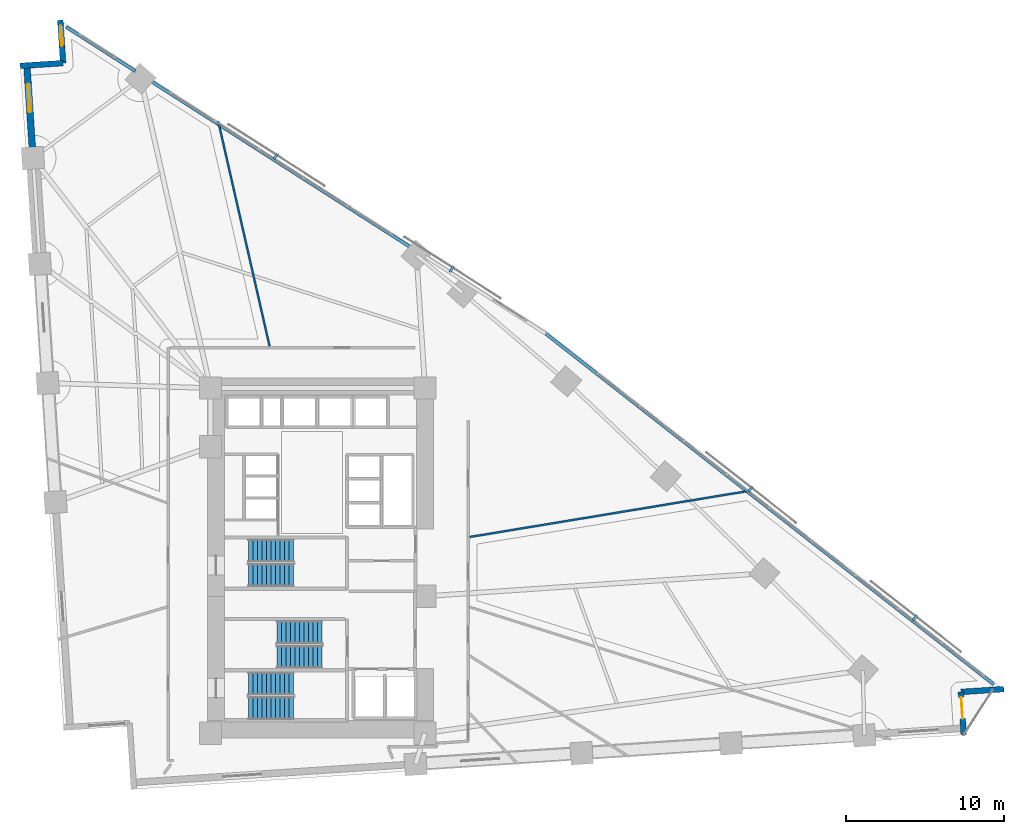
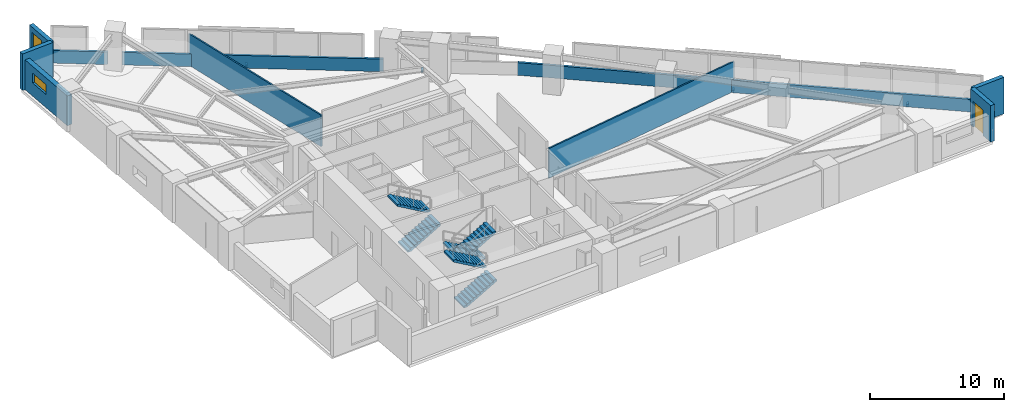
# One storey, part 13 of 15: 10 walls, 6 stair flights, 4 discrete accessories, 2 windows, 1 door, 3 openings, 3 elements without a shape of their own.
"""IFC4 building model written with IfcOpenShell, lengths in metres."""

from ifc_helpers import new_model, si_unit, direction, frame, frame_2d, origin, origin_2d, place, context, subcontext, project, spatial, polyline, rectangle, outline, extrude, material, layer, layer_set, type_object, element, fill, aggregate, save


model = new_model("IFC4")

# Units and contexts
model_context = context("Model", 3, precision=1e-05, world=origin(), true_north=direction((0.0, 1.0)))
body_context = subcontext(model_context, "Body", "Model", "MODEL_VIEW")
ifc_project = project(units=[si_unit("LENGTHUNIT", "METRE"), si_unit("AREAUNIT", "SQUARE_METRE"), si_unit("VOLUMEUNIT", "CUBIC_METRE"), si_unit("PLANEANGLEUNIT", "RADIAN"), si_unit("MASSUNIT", "GRAM", prefix="KILO")], contexts=[model_context])

# Site, building, storey
site_placement = place(None, origin())
site = spatial("IfcSite", under=ifc_project, at=site_placement, CompositionType="ELEMENT")
building_placement = place(site_placement, origin())
building = spatial("IfcBuilding", under=site, at=building_placement, Name="Narakoshi Arena Tower", CompositionType="ELEMENT")
storey_placement = place(building_placement, frame((0.0, 0.0, 70.5)))
storey = spatial("IfcBuildingStorey", under=building, at=storey_placement, Name="L18", CompositionType="ELEMENT", Elevation=70.5)

# Walls
ifc_material_1 = material(Name="Precast concrete C45/55", Category="concrete")
ifc_layer_1 = layer(ifc_material_1, 0.25)
ifc_layer_set_1 = layer_set([ifc_layer_1], Name="Precast concrete C45/55")
wall_type_1 = type_object("IfcWallType", Name="WL-PARA-250", PredefinedType="PARAPET", material=ifc_layer_set_1)
wall_1_placement = place(storey_placement, frame((121.47607421875, 37.781494140625, 0.0), z_axis=(0.0, 0.0, 1.0), x_axis=(-0.787385636484, 0.61646075257, 0.0)))
element("IfcWall", 1, at=wall_1_placement, inside=storey, type_object=wall_type_1, Name="L18 Hypotenuse Sill Upstand Parapet 1-01", PredefinedType="PARAPET", context=body_context, shape_type="SweptSolid", body=[
    extrude(rectangle(XDim=35.957275390625, YDim=0.199951171875, at=frame_2d((17.978515625, 0.0))), origin(), (0.0, 0.0, 1.0), 1.14990234375),
])
wall_2_placement = place(storey_placement, frame((84.681640625, 65.372314453125, 0.0), z_axis=(0.0, 0.0, 1.0), x_axis=(-0.842418773655, 0.538823356763, 0.0)))
element("IfcWall", 2, at=wall_2_placement, inside=storey, type_object=wall_type_1, Name="L18 Hypotenuse Sill Upstand Parapet 2-02", PredefinedType="PARAPET", context=body_context, shape_type="SweptSolid", body=[
    extrude(rectangle(XDim=19.612060546875, YDim=0.199951171875, at=frame_2d((9.80615234375, 0.0))), origin(), (0.0, 0.0, 1.0), 1.14990234375),
])
wall_3_placement = place(storey_placement, frame((67.2568359375, 76.517578125, 0.0), z_axis=(0.0, 0.0, 1.0), x_axis=(-0.842403631411, 0.538847030042, 0.0)))
element("IfcWall", 3, at=wall_3_placement, inside=storey, type_object=wall_type_1, Name="L18 Hypotenuse Sill Upstand Parapet 2-03", PredefinedType="PARAPET", context=body_context, shape_type="SweptSolid", body=[
    extrude(rectangle(XDim=5.1962890625, YDim=0.199951171875, at=frame_2d((2.59814453125, 0.0))), origin(), (0.0, 0.0, 1.0), 1.14990234375),
])
ifc_material_2 = material(Name="Gypsum plasterboard fire-rated partition")
ifc_layer_2 = layer(ifc_material_2, 0.125)
ifc_layer_set_2 = layer_set([ifc_layer_2], Name="Gypsum plasterboard fire-rated partition")
wall_type_2 = type_object("IfcWallType", Name="WL-PART-125", PredefinedType="PARTITIONING", material=ifc_layer_set_2)
wall_4_placement = place(storey_placement, frame((88.382080078125, 47.095947265625, 0.0), z_axis=(0.0, 0.0, 1.0), x_axis=(0.986654246773, 0.162829350317, 0.0)))
element("IfcWall", 4, at=wall_4_placement, inside=storey, type_object=wall_type_2, Name="L18 Inter-Room Partition 04-06", PredefinedType="PARTITIONING", context=body_context, shape_type="SweptSolid", body=[
    extrude(rectangle(XDim=17.9609375, YDim=0.125, at=frame_2d((8.98046875, 0.0))), origin(), (0.0, 0.0, 1.0), 2.72509765625),
])
wall_5_placement = place(storey_placement, frame((75.73095703125, 59.154541015625, 0.0), z_axis=(0.0, 0.0, 1.0), x_axis=(-0.222590532926, 0.974912024057, 0.0)))
element("IfcWall", 5, at=wall_5_placement, inside=storey, type_object=wall_type_2, Name="L18 Inter-Room Partition 07-08", PredefinedType="PARTITIONING", context=body_context, shape_type="SweptSolid", body=[
    extrude(rectangle(XDim=14.573486328125, YDim=0.125, at=frame_2d((7.28662109375, 0.0))), origin(), (0.0, 0.0, 1.0), 2.875),
])

# Wall, opening, window
ifc_layer_3 = layer(ifc_material_1, 0.419921875)
ifc_layer_set_3 = layer_set([ifc_layer_3], Name="Precast concrete C45/55")
wall_type_3 = type_object("IfcWallType", Name="WL-POD-420", PredefinedType="SOLIDWALL", material=ifc_layer_set_3)
wall_6_placement = place(storey_placement, frame((60.40185546875, 76.8828125, 0.0), z_axis=(0.0, 0.0, 1.0), x_axis=(0.065402662459, -0.997858953832, 0.0)))
wall_6 = element("IfcWall", 6, at=wall_6_placement, inside=storey, type_object=wall_type_3, Name="L18 Architectural Concrete Facade Wall LEGB-1", PredefinedType="SOLIDWALL", context=body_context, shape_type="SweptSolid", body=[
    extrude(rectangle(XDim=5.8642578125, YDim=0.419921875, at=frame_2d((2.93212890625, 0.0))), origin(), (0.0, 0.0, 1.0), 2.72509765625),
])
opening_1_placement = place(wall_6_placement, frame((1.1708984375, 0.0, 1.199951171875)))
opening_1 = element("IfcOpeningElement", 7, at=opening_1_placement, cuts=wall_6, Name="Opening WN-02", PredefinedType="OPENING", context=body_context, shape_type="SweptSolid", body=[
    extrude(rectangle(XDim=1.800048828125, YDim=0.89990234375, at=frame_2d((0.89990234375, 0.449951171875))), frame((0.0, 0.219970703125, 0.0), z_axis=(0.0, -1.0, 0.0), x_axis=(1.0, 0.0, 0.0)), (0.0, 0.0, 1.0), 0.43994140625),
])
ifc_material_3 = material(Name="Bronze-tinted low-E laminated glass", Category="glass")
window_type_1 = type_object("IfcWindowType", Name="WIN-SLT-18x09", PartitioningType="SINGLE_PANEL", PredefinedType="WINDOW", material=ifc_material_3)
window_1_placement = place(opening_1_placement, origin())
window_1 = element("IfcWindow", 8, at=window_1_placement, inside=storey, type_object=window_type_1, Name="L18 LEGB1 Horizontal Slot Window 1", OverallHeight=0.89990234375, OverallWidth=1.800048828125, PartitioningType="SINGLE_PANEL", PredefinedType="WINDOW", context=body_context, shape_type="SweptSolid", body=[
    extrude(rectangle(XDim=1.800048828125, YDim=0.89990234375, at=frame_2d((0.89990234375, 0.449951171875))), frame((0.0, 0.030029296875, 0.0), z_axis=(0.0, -1.0, 0.0), x_axis=(1.0, 0.0, 0.0)), (0.0, 0.0, 1.0), 0.06005859375),
])
fill(opening_1, window_1)

# Wall, opening, door
wall_7_placement = place(storey_placement, frame((119.58447265625, 34.594482421875, 0.0), z_axis=(0.0, 0.0, 1.0), x_axis=(-0.065427374496, 0.997857333824, 0.0)))
wall_7 = element("IfcWall", 9, at=wall_7_placement, inside=storey, type_object=wall_type_3, Name="L18 Re-Entrant Corner Notch Wall NTE-1", PredefinedType="SOLIDWALL", context=body_context, shape_type="SweptSolid", body=[
    extrude(rectangle(XDim=2.716552734375, YDim=0.360107421875, at=frame_2d((1.3583984375, 0.0))), origin(), (0.0, 0.0, 1.0), 3.340087890625),
])
opening_2_placement = place(wall_7_placement, frame((1.0263671875, 0.0, 0.0)))
opening_2 = element("IfcOpeningElement", 10, at=opening_2_placement, cuts=wall_7, Name="Opening D-12", PredefinedType="OPENING", context=body_context, shape_type="SweptSolid", body=[
    extrude(rectangle(XDim=1.35009765625, YDim=2.35009765625, at=frame_2d((0.675048828125, 1.175048828125))), frame((0.0, 0.18994140625, 0.0), z_axis=(0.0, -1.0, 0.0), x_axis=(1.0, 0.0, 0.0)), (0.0, 0.0, 1.0), 0.380126953125),
])
ifc_material_4 = material(Name="Anodised bronze aluminium 6063-T6", Category="aluminium")
door_type = type_object("IfcDoorType", Name="DR-LOG-1350", OperationType="DOUBLE_DOOR_SLIDING", PredefinedType="DOOR", material=ifc_material_4)
door_placement = place(opening_2_placement, origin())
door = element("IfcDoor", 11, at=door_placement, inside=storey, type_object=door_type, Name="DR-L18-001", OperationType="DOUBLE_DOOR_SLIDING", OverallHeight=2.35009765625, OverallWidth=1.35009765625, PredefinedType="DOOR", context=body_context, shape_type="SweptSolid", body=[
    extrude(rectangle(XDim=1.35009765625, YDim=2.35009765625, at=frame_2d((0.675048828125, 1.175048828125))), frame((0.0, 0.02490234375, 0.0), z_axis=(0.0, -1.0, 0.0), x_axis=(1.0, 0.0, 0.0)), (0.0, 0.0, 1.0), 0.050048828125),
])
fill(opening_2, door)

# Wall
wall_8_placement = place(storey_placement, frame((119.40673828125, 37.30517578125, 0.0), z_axis=(0.0, 0.0, 1.0), x_axis=(0.99785694905, 0.065433242561, 0.0)))
element("IfcWall", 12, at=wall_8_placement, inside=storey, type_object=wall_type_3, Name="L18 Re-Entrant Corner Notch Wall NTE-2", PredefinedType="SOLIDWALL", context=body_context, shape_type="SweptSolid", body=[
    extrude(rectangle(XDim=2.71630859375, YDim=0.360107421875, at=frame_2d((1.358154296875, 0.0))), origin(), (0.0, 0.0, 1.0), 3.340087890625),
])

# Wall, opening, window
wall_9_placement = place(storey_placement, frame((62.5107421875, 79.743408203125, 0.0), z_axis=(0.0, 0.0, 1.0), x_axis=(0.065337885661, -0.997863197386, 0.0)))
wall_9 = element("IfcWall", 13, at=wall_9_placement, inside=storey, type_object=wall_type_3, Name="L18 Re-Entrant Corner Notch Wall NTN-1", PredefinedType="SOLIDWALL", context=body_context, shape_type="SweptSolid", body=[
    extrude(rectangle(XDim=2.716552734375, YDim=0.360107421875, at=frame_2d((1.3583984375, 0.0))), origin(), (0.0, 0.0, 1.0), 3.340087890625),
])
opening_3_placement = place(wall_9_placement, frame((0.340087890625, 0.0, 0.449951171875)))
opening_3 = element("IfcOpeningElement", 14, at=opening_3_placement, cuts=wall_9, Name="Opening WN-06", PredefinedType="OPENING", context=body_context, shape_type="SweptSolid", body=[
    extrude(rectangle(XDim=1.300048828125, YDim=2.39990234375, at=frame_2d((0.64990234375, 1.199951171875))), frame((0.0, 0.18994140625, 0.0), z_axis=(0.0, -1.0, 0.0), x_axis=(1.0, 0.0, 0.0)), (0.0, 0.0, 1.0), 0.380126953125),
])
window_type_2 = type_object("IfcWindowType", Name="WIN-NTC-16x24", PartitioningType="SINGLE_PANEL", PredefinedType="WINDOW", material=ifc_material_3)
window_2_placement = place(opening_3_placement, origin())
window_2 = element("IfcWindow", 15, at=window_2_placement, inside=storey, type_object=window_type_2, Name="L18 Corner Notch Window NTN", OverallHeight=2.39990234375, OverallWidth=1.300048828125, PartitioningType="SINGLE_PANEL", PredefinedType="WINDOW", context=body_context, shape_type="SweptSolid", body=[
    extrude(rectangle(XDim=1.300048828125, YDim=2.39990234375, at=frame_2d((0.64990234375, 1.199951171875))), frame((0.0, 0.030029296875, 0.0), z_axis=(0.0, -1.0, 0.0), x_axis=(1.0, 0.0, 0.0)), (0.0, 0.0, 1.0), 0.06005859375),
])
fill(opening_3, window_2)

# Wall
wall_10_placement = place(storey_placement, frame((62.688232421875, 77.03271484375, 0.0), z_axis=(0.0, 0.0, 1.0), x_axis=(-0.99785694905, -0.065433242561, 0.0)))
element("IfcWall", 16, at=wall_10_placement, inside=storey, type_object=wall_type_3, Name="L18 Re-Entrant Corner Notch Wall NTN-2", PredefinedType="SOLIDWALL", context=body_context, shape_type="SweptSolid", body=[
    extrude(rectangle(XDim=2.71630859375, YDim=0.360107421875, at=frame_2d((1.358154296875, 0.0))), origin(), (0.0, 0.0, 1.0), 3.340087890625),
])

# Stair, stair flights
ifc_material_5 = material(Name="Concrete C45/55", Category="concrete")
stair_type = type_object("IfcStairType", Name="STR-CORE-360", PredefinedType="TWO_STRAIGHT_RUN_STAIR", material=ifc_material_5)
stair_1_placement = place(storey_placement, origin())
stair_1 = element("IfcStair", 17, at=stair_1_placement, inside=storey, type_object=stair_type, Name="L18 Core Escape Stair ST1", PredefinedType="TWO_STRAIGHT_RUN_STAIR")
stair_flight_type = type_object("IfcStairFlightType", Name="FLT-145-160", PredefinedType="STRAIGHT", material=ifc_material_1)
stair_flight_1_placement = place(storey_placement, frame((74.39990234375, 36.27490234375, 0.0), z_axis=(0.0, 0.0, 1.0), x_axis=(1.0, 0.0, 0.0)))
stair_flight_1 = element("IfcStairFlight", 18, at=stair_flight_1_placement, type_object=stair_flight_type, Name="ST1 flight 1", NumberOfRisers=11, NumberOfTreads=10, PredefinedType="STRAIGHT", RiserHeight=0.163636364, TreadLength=0.285, context=body_context, shape_type="SweptSolid", body=[
    extrude(outline(polyline([(0.0, 0.0), (0.0, 0.16357421875), (0.284912109375, 0.16357421875), (0.284912109375, 0.327392578125), (0.570068359375, 0.327392578125), (0.570068359375, 0.490966796875), (0.85498046875, 0.490966796875), (0.85498046875, 0.654541015625), (1.139892578125, 0.654541015625), (1.139892578125, 0.818115234375), (1.425048828125, 0.818115234375), (1.425048828125, 0.98193359375), (1.7099609375, 0.98193359375), (1.7099609375, 1.1455078125), (1.9951171875, 1.1455078125), (1.9951171875, 1.30908203125), (2.280029296875, 1.30908203125), (2.280029296875, 1.47265625), (2.56494140625, 1.47265625), (2.56494140625, 1.636474609375), (2.85009765625, 1.636474609375), (2.85009765625, 1.800048828125), (2.85009765625, 1.463623046875), (0.301025390625, 0.0), (0.0, 0.0)])), frame((0.0, 0.72509765625, 0.0), z_axis=(0.0, -1.0, 0.0), x_axis=(1.0, 0.0, 0.0)), (0.0, 0.0, 1.0), 1.449951171875),
])
stair_flight_2_placement = place(storey_placement, frame((77.25, 37.824951171875, 1.800048828125), z_axis=(0.0, 0.0, 1.0), x_axis=(-1.0, 0.0, 0.0)))
stair_flight_2 = element("IfcStairFlight", 19, at=stair_flight_2_placement, type_object=stair_flight_type, Name="ST1 flight 2", NumberOfRisers=11, NumberOfTreads=10, PredefinedType="STRAIGHT", RiserHeight=0.163636364, TreadLength=0.285, context=body_context, shape_type="SweptSolid", body=[
    extrude(outline(polyline([(0.0, 0.0), (0.0, 0.16357421875), (0.284912109375, 0.16357421875), (0.284912109375, 0.327392578125), (0.570068359375, 0.327392578125), (0.570068359375, 0.490966796875), (0.85498046875, 0.490966796875), (0.85498046875, 0.654541015625), (1.139892578125, 0.654541015625), (1.139892578125, 0.818115234375), (1.425048828125, 0.818115234375), (1.425048828125, 0.98193359375), (1.7099609375, 0.98193359375), (1.7099609375, 1.1455078125), (1.9951171875, 1.1455078125), (1.9951171875, 1.30908203125), (2.280029296875, 1.30908203125), (2.280029296875, 1.47265625), (2.56494140625, 1.47265625), (2.56494140625, 1.636474609375), (2.85009765625, 1.636474609375), (2.85009765625, 1.800048828125), (2.85009765625, 1.463623046875), (0.301025390625, 0.0), (0.0, 0.0)])), frame((0.0, 0.72509765625, 0.0), z_axis=(0.0, -1.0, 0.0), x_axis=(1.0, 0.0, 0.0)), (0.0, 0.0, 1.0), 1.449951171875),
])
aggregate(stair_1, [stair_flight_1, stair_flight_2])

stair_2_placement = place(storey_placement, origin())
stair_2 = element("IfcStair", 20, at=stair_2_placement, inside=storey, type_object=stair_type, Name="L18 Core Escape Stair ST2", PredefinedType="TWO_STRAIGHT_RUN_STAIR")
stair_flight_3_placement = place(storey_placement, frame((79.050048828125, 41.074951171875, 0.0), z_axis=(0.0, 0.0, 1.0), x_axis=(-1.0, 0.0, 0.0)))
stair_flight_3 = element("IfcStairFlight", 21, at=stair_flight_3_placement, type_object=stair_flight_type, Name="ST2 flight 1", NumberOfRisers=11, NumberOfTreads=10, PredefinedType="STRAIGHT", RiserHeight=0.163636364, TreadLength=0.285, context=body_context, shape_type="SweptSolid", body=[
    extrude(outline(polyline([(0.0, 0.0), (0.0, 0.16357421875), (0.284912109375, 0.16357421875), (0.284912109375, 0.327392578125), (0.570068359375, 0.327392578125), (0.570068359375, 0.490966796875), (0.85498046875, 0.490966796875), (0.85498046875, 0.654541015625), (1.139892578125, 0.654541015625), (1.139892578125, 0.818115234375), (1.425048828125, 0.818115234375), (1.425048828125, 0.98193359375), (1.7099609375, 0.98193359375), (1.7099609375, 1.1455078125), (1.9951171875, 1.1455078125), (1.9951171875, 1.30908203125), (2.280029296875, 1.30908203125), (2.280029296875, 1.47265625), (2.56494140625, 1.47265625), (2.56494140625, 1.636474609375), (2.85009765625, 1.636474609375), (2.85009765625, 1.800048828125), (2.85009765625, 1.463623046875), (0.301025390625, 0.0), (0.0, 0.0)])), frame((0.0, 0.72509765625, 0.0), z_axis=(0.0, -1.0, 0.0), x_axis=(1.0, 0.0, 0.0)), (0.0, 0.0, 1.0), 1.449951171875),
])
stair_flight_4_placement = place(storey_placement, frame((76.199951171875, 39.52490234375, 1.800048828125), z_axis=(0.0, 0.0, 1.0), x_axis=(1.0, 0.0, 0.0)))
stair_flight_4 = element("IfcStairFlight", 22, at=stair_flight_4_placement, type_object=stair_flight_type, Name="ST2 flight 2", NumberOfRisers=11, NumberOfTreads=10, PredefinedType="STRAIGHT", RiserHeight=0.163636364, TreadLength=0.285, context=body_context, shape_type="SweptSolid", body=[
    extrude(outline(polyline([(0.0, 0.0), (0.0, 0.16357421875), (0.284912109375, 0.16357421875), (0.284912109375, 0.327392578125), (0.570068359375, 0.327392578125), (0.570068359375, 0.490966796875), (0.85498046875, 0.490966796875), (0.85498046875, 0.654541015625), (1.139892578125, 0.654541015625), (1.139892578125, 0.818115234375), (1.425048828125, 0.818115234375), (1.425048828125, 0.98193359375), (1.7099609375, 0.98193359375), (1.7099609375, 1.1455078125), (1.9951171875, 1.1455078125), (1.9951171875, 1.30908203125), (2.280029296875, 1.30908203125), (2.280029296875, 1.47265625), (2.56494140625, 1.47265625), (2.56494140625, 1.636474609375), (2.85009765625, 1.636474609375), (2.85009765625, 1.800048828125), (2.85009765625, 1.463623046875), (0.301025390625, 0.0), (0.0, 0.0)])), frame((0.0, 0.72509765625, 0.0), z_axis=(0.0, -1.0, 0.0), x_axis=(1.0, 0.0, 0.0)), (0.0, 0.0, 1.0), 1.449951171875),
])
aggregate(stair_2, [stair_flight_3, stair_flight_4])

stair_3_placement = place(storey_placement, origin())
stair_3 = element("IfcStair", 23, at=stair_3_placement, inside=storey, type_object=stair_type, Name="L18 Core Escape Stair ST3", PredefinedType="TWO_STRAIGHT_RUN_STAIR")
stair_flight_5_placement = place(storey_placement, frame((74.39990234375, 44.675048828125, 0.0), z_axis=(0.0, 0.0, 1.0), x_axis=(1.0, 0.0, 0.0)))
stair_flight_5 = element("IfcStairFlight", 24, at=stair_flight_5_placement, type_object=stair_flight_type, Name="ST3 flight 1", NumberOfRisers=11, NumberOfTreads=10, PredefinedType="STRAIGHT", RiserHeight=0.163636364, TreadLength=0.285, context=body_context, shape_type="SweptSolid", body=[
    extrude(outline(polyline([(0.0, 0.0), (0.0, 0.16357421875), (0.284912109375, 0.16357421875), (0.284912109375, 0.327392578125), (0.570068359375, 0.327392578125), (0.570068359375, 0.490966796875), (0.85498046875, 0.490966796875), (0.85498046875, 0.654541015625), (1.139892578125, 0.654541015625), (1.139892578125, 0.818115234375), (1.425048828125, 0.818115234375), (1.425048828125, 0.98193359375), (1.7099609375, 0.98193359375), (1.7099609375, 1.1455078125), (1.9951171875, 1.1455078125), (1.9951171875, 1.30908203125), (2.280029296875, 1.30908203125), (2.280029296875, 1.47265625), (2.56494140625, 1.47265625), (2.56494140625, 1.636474609375), (2.85009765625, 1.636474609375), (2.85009765625, 1.800048828125), (2.85009765625, 1.463623046875), (0.301025390625, 0.0), (0.0, 0.0)])), frame((0.0, 0.72509765625, 0.0), z_axis=(0.0, -1.0, 0.0), x_axis=(1.0, 0.0, 0.0)), (0.0, 0.0, 1.0), 1.449951171875),
])
stair_flight_6_placement = place(storey_placement, frame((77.25, 46.22509765625, 1.800048828125), z_axis=(0.0, 0.0, 1.0), x_axis=(-1.0, 0.0, 0.0)))
stair_flight_6 = element("IfcStairFlight", 25, at=stair_flight_6_placement, type_object=stair_flight_type, Name="ST3 flight 2", NumberOfRisers=11, NumberOfTreads=10, PredefinedType="STRAIGHT", RiserHeight=0.163636364, TreadLength=0.285, context=body_context, shape_type="SweptSolid", body=[
    extrude(outline(polyline([(0.0, 0.0), (0.0, 0.16357421875), (0.284912109375, 0.16357421875), (0.284912109375, 0.327392578125), (0.570068359375, 0.327392578125), (0.570068359375, 0.490966796875), (0.85498046875, 0.490966796875), (0.85498046875, 0.654541015625), (1.139892578125, 0.654541015625), (1.139892578125, 0.818115234375), (1.425048828125, 0.818115234375), (1.425048828125, 0.98193359375), (1.7099609375, 0.98193359375), (1.7099609375, 1.1455078125), (1.9951171875, 1.1455078125), (1.9951171875, 1.30908203125), (2.280029296875, 1.30908203125), (2.280029296875, 1.47265625), (2.56494140625, 1.47265625), (2.56494140625, 1.636474609375), (2.85009765625, 1.636474609375), (2.85009765625, 1.800048828125), (2.85009765625, 1.463623046875), (0.301025390625, 0.0), (0.0, 0.0)])), frame((0.0, 0.72509765625, 0.0), z_axis=(0.0, -1.0, 0.0), x_axis=(1.0, 0.0, 0.0)), (0.0, 0.0, 1.0), 1.449951171875),
])
aggregate(stair_3, [stair_flight_5, stair_flight_6])

# Discrete accessories
ifc_material_6 = material(Name="Structural steel S355J2", Category="steel")
discrete_accessory_type = type_object("IfcDiscreteAccessoryType", Name="ACC-BRK-SCR", PredefinedType="BRACKET", material=ifc_material_6)
for number, where, z_axis, x_axis, name in (
    (26, (116.497314453125, 41.984375, -0.080078125), (0.0, 0.0, 1.0), (-0.787387121413, 0.616458855912, 0.0), "L18 Solar Screen Support Bracket SHD-L18-SCR1-1"),
    (27, (106.103759765625, 50.12158203125, -0.080078125), (0.0, 0.0, 1.0), (-0.787387121413, 0.616458855912, 0.0), "L18 Solar Screen Support Bracket SHD-L18-SCR1-2"),
    (28, (87.239990234375, 64.020751953125, -0.080078125), (0.0, 0.0, 1.0), (-0.842414781658, 0.538829597966, 0.0), "L18 Solar Screen Support Bracket SHD-L18-SCR2-1"),
    (29, (76.1201171875, 71.13330078125, -0.080078125), (0.0, 0.0, 1.0), (-0.842414781658, 0.538829597966, 0.0), "L18 Solar Screen Support Bracket SHD-L18-SCR2-2"),
):
    element("IfcDiscreteAccessory", number, at=place(storey_placement, frame(where, z_axis=z_axis, x_axis=x_axis)), inside=storey, type_object=discrete_accessory_type, Name=name, PredefinedType="BRACKET", context=body_context, shape_type="SweptSolid", body=[
        extrude(rectangle(XDim=0.159912109375, YDim=0.425048828125, at=origin_2d()), origin(), (0.0, 0.0, 1.0), 0.199951171875),
    ])

save(model, "model.ifc")
